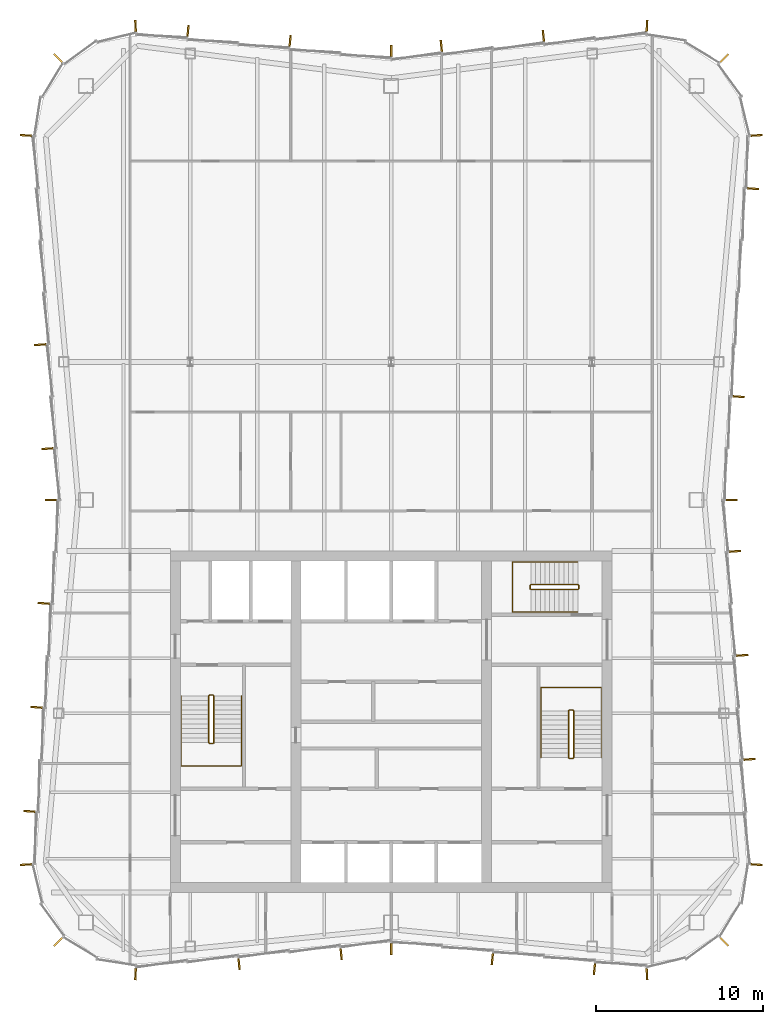
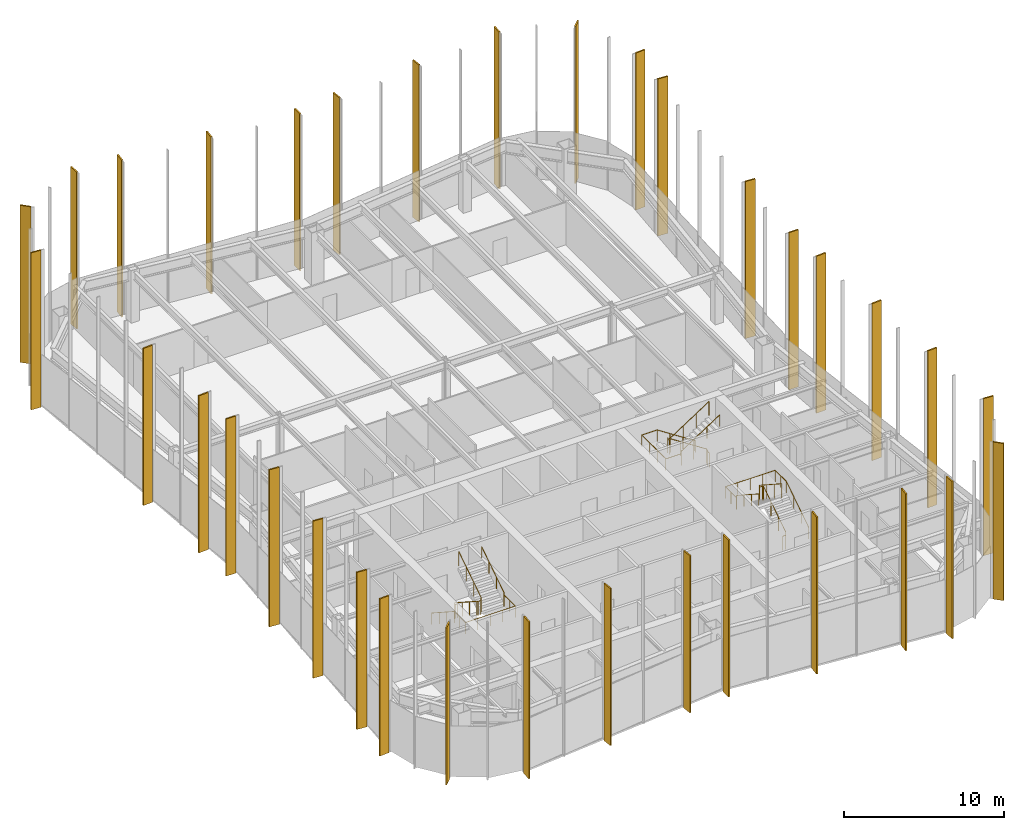
# One storey, part 13 of 13: 34 shading devices, 6 railings.
"""IFC4 building model written with IfcOpenShell, lengths in metres."""

from ifc_helpers import new_model, si_unit, direction, frame, origin, origin_2d, place, context, subcontext, project, spatial, rectangle, circle, extrude, material, layer, layer_set, type_object, element, save


model = new_model("IFC4")

# Units and contexts
model_context = context("Model", 3, precision=1e-05, world=origin(), true_north=direction((0.0, 1.0)))
body_context = subcontext(model_context, "Body", "Model", "MODEL_VIEW")
ifc_project = project(units=[si_unit("LENGTHUNIT", "METRE"), si_unit("AREAUNIT", "SQUARE_METRE"), si_unit("VOLUMEUNIT", "CUBIC_METRE"), si_unit("PLANEANGLEUNIT", "RADIAN"), si_unit("MASSUNIT", "GRAM", prefix="KILO")], contexts=[model_context])

# Site, building, storey
site_placement = place(None, origin())
site = spatial("IfcSite", under=ifc_project, at=site_placement, CompositionType="ELEMENT")
building_placement = place(site_placement, origin())
building = spatial("IfcBuilding", under=site, at=building_placement, Name="Verdant Reach Tower", CompositionType="ELEMENT")
storey_placement = place(building_placement, frame((0.0, 0.0, 306.0)))
storey = spatial("IfcBuildingStorey", under=building, at=storey_placement, Name="L70", CompositionType="ELEMENT", Elevation=306.0)

# Railings
ifc_material_1 = material(Name="Stainless steel", Category="steel")
railing_type_1 = type_object("IfcRailingType", Name="CO-GUARD", PredefinedType="GUARDRAIL", material=ifc_material_1)
railing_1_placement = place(storey_placement, frame((-10.64990234375, 29.60009765625, 0.0)))
element("IfcRailing", 1, at=railing_1_placement, inside=storey, type_object=railing_type_1, Name="L70 ST-1 stair guard 1", PredefinedType="GUARDRAIL", context=body_context, shape_type="SweptSolid", body=[
    extrude(circle(Radius=0.02392578125, at=origin_2d()), frame((0.0, 0.0, 1.076171875), z_axis=(-1.0, 0.0, 0.0), x_axis=(0.0, -1.0, 0.0)), (0.0, 0.0, 1.0), 0.2001953125),
    extrude(circle(Radius=0.02392578125, at=origin_2d()), frame((-0.2001953125, 0.0, 1.076171875), z_axis=(-0.25526617399, -0.256517478764, 0.932222056972), x_axis=(0.708833529934, -0.705375805398, 0.0)), (0.0, 0.0, 1.0), 0.195068359375),
    extrude(circle(Radius=0.02392578125, at=origin_2d()), frame((-0.25, -0.050048828125, 1.2578125), z_axis=(0.0, -0.838705829183, 0.544584733623), x_axis=(1.0, 0.0, 0.0)), (0.0, 0.0, 1.0), 3.338623046875),
    extrude(circle(Radius=0.02392578125, at=origin_2d()), frame((-0.25, -2.85009765625, 3.076171875), z_axis=(0.705375805398, -0.708833529934, 0.0), x_axis=(0.708833529934, 0.705375805398, 0.0)), (0.0, 0.0, 1.0), 0.070556640625),
    extrude(circle(Radius=0.02392578125, at=origin_2d()), frame((-0.2001953125, -2.900146484375, 3.076171875), z_axis=(1.0, 0.0, 0.0), x_axis=(0.0, 1.0, 0.0)), (0.0, 0.0, 1.0), 0.2001953125),
    extrude(circle(Radius=0.02392578125, at=origin_2d()), frame((0.0, -2.900146484375, 3.076171875), z_axis=(0.25526617399, 0.256517478764, 0.932222056972), x_axis=(-0.708833529934, 0.705375805398, 0.0)), (0.0, 0.0, 1.0), 0.195068359375),
    extrude(circle(Radius=0.02392578125, at=origin_2d()), frame((0.0498046875, -2.85009765625, 3.2578125), z_axis=(0.0, 0.838705829183, 0.544584733623), x_axis=(-1.0, 0.0, 0.0)), (0.0, 0.0, 1.0), 3.338623046875),
    extrude(circle(Radius=0.02099609375, at=origin_2d()), origin(), (0.0, 0.0, 1.0), 1.052001953125),
    extrude(circle(Radius=0.02099609375, at=origin_2d()), frame((-0.2001953125, 0.0, 0.0)), (0.0, 0.0, 1.0), 1.052001953125),
    extrude(circle(Radius=0.02099609375, at=origin_2d()), frame((-0.25, -0.050048828125, 0.181884765625)), (0.0, 0.0, 1.0), 1.052001953125),
    extrude(circle(Radius=0.02099609375, at=origin_2d()), frame((-0.25, -0.9833984375, 0.787841796875)), (0.0, 0.0, 1.0), 1.052001953125),
    extrude(circle(Radius=0.02099609375, at=origin_2d()), frame((-0.25, -1.916748046875, 1.39404296875)), (0.0, 0.0, 1.0), 1.052001953125),
    extrude(circle(Radius=0.02099609375, at=origin_2d()), frame((-0.25, -2.85009765625, 2.0)), (0.0, 0.0, 1.0), 1.052001953125),
    extrude(circle(Radius=0.02099609375, at=origin_2d()), frame((-0.2001953125, -2.900146484375, 2.0)), (0.0, 0.0, 1.0), 1.052001953125),
    extrude(circle(Radius=0.02099609375, at=origin_2d()), frame((0.0, -2.900146484375, 2.0)), (0.0, 0.0, 1.0), 1.052001953125),
    extrude(circle(Radius=0.02099609375, at=origin_2d()), frame((0.0498046875, -2.85009765625, 2.181884765625)), (0.0, 0.0, 1.0), 1.052001953125),
    extrude(circle(Radius=0.02099609375, at=origin_2d()), frame((0.0498046875, -1.916748046875, 2.787841796875)), (0.0, 0.0, 1.0), 1.052001953125),
    extrude(circle(Radius=0.02099609375, at=origin_2d()), frame((0.0498046875, -0.9833984375, 3.39404296875)), (0.0, 0.0, 1.0), 1.052001953125),
    extrude(circle(Radius=0.02099609375, at=origin_2d()), frame((0.0498046875, -0.050048828125, 4.0)), (0.0, 0.0, 1.0), 1.052001953125),
])
railing_2_placement = place(storey_placement, frame((10.64990234375, 25.800048828125, 0.0)))
element("IfcRailing", 2, at=railing_2_placement, inside=storey, type_object=railing_type_1, Name="L70 ST-2 stair guard 1", PredefinedType="GUARDRAIL", context=body_context, shape_type="SweptSolid", body=[
    extrude(circle(Radius=0.02392578125, at=origin_2d()), frame((0.0, 0.0, 1.076171875), z_axis=(1.0, 0.0, 0.0), x_axis=(0.0, 1.0, 0.0)), (0.0, 0.0, 1.0), 0.2001953125),
    extrude(circle(Radius=0.02392578125, at=origin_2d()), frame((0.2001953125, 0.0, 1.076171875), z_axis=(0.25526617399, 0.256517478764, 0.932222056972), x_axis=(-0.708833529934, 0.705375805398, 0.0)), (0.0, 0.0, 1.0), 0.195068359375),
    extrude(circle(Radius=0.02392578125, at=origin_2d()), frame((0.25, 0.050048828125, 1.2578125), z_axis=(0.0, 0.83868413941, 0.544618136222), x_axis=(-1.0, 0.0, 0.0)), (0.0, 0.0, 1.0), 3.33837890625),
    extrude(circle(Radius=0.02392578125, at=origin_2d()), frame((0.25, 2.849853515625, 3.076171875), z_axis=(-0.705375805398, 0.708833529934, 0.0), x_axis=(-0.708833529934, -0.705375805398, 0.0)), (0.0, 0.0, 1.0), 0.070556640625),
    extrude(circle(Radius=0.02392578125, at=origin_2d()), frame((0.2001953125, 2.89990234375, 3.076171875), z_axis=(-1.0, 0.0, 0.0), x_axis=(0.0, -1.0, 0.0)), (0.0, 0.0, 1.0), 0.2001953125),
    extrude(circle(Radius=0.02392578125, at=origin_2d()), frame((0.0, 2.89990234375, 3.076171875), z_axis=(-0.25526617399, -0.256517478764, 0.932222056972), x_axis=(0.708833529934, -0.705375805398, 0.0)), (0.0, 0.0, 1.0), 0.195068359375),
    extrude(circle(Radius=0.02392578125, at=origin_2d()), frame((-0.0498046875, 2.849853515625, 3.2578125), z_axis=(0.0, -0.83868413941, 0.544618136222), x_axis=(1.0, 0.0, 0.0)), (0.0, 0.0, 1.0), 3.33837890625),
    extrude(circle(Radius=0.02099609375, at=origin_2d()), origin(), (0.0, 0.0, 1.0), 1.052001953125),
    extrude(circle(Radius=0.02099609375, at=origin_2d()), frame((0.2001953125, 0.0, 0.0)), (0.0, 0.0, 1.0), 1.052001953125),
    extrude(circle(Radius=0.02099609375, at=origin_2d()), frame((0.25, 0.050048828125, 0.181884765625)), (0.0, 0.0, 1.0), 1.052001953125),
    extrude(circle(Radius=0.02099609375, at=origin_2d()), frame((0.25, 0.9833984375, 0.787841796875)), (0.0, 0.0, 1.0), 1.052001953125),
    extrude(circle(Radius=0.02099609375, at=origin_2d()), frame((0.25, 1.91650390625, 1.39404296875)), (0.0, 0.0, 1.0), 1.052001953125),
    extrude(circle(Radius=0.02099609375, at=origin_2d()), frame((0.25, 2.849853515625, 2.0)), (0.0, 0.0, 1.0), 1.052001953125),
    extrude(circle(Radius=0.02099609375, at=origin_2d()), frame((0.2001953125, 2.89990234375, 2.0)), (0.0, 0.0, 1.0), 1.052001953125),
    extrude(circle(Radius=0.02099609375, at=origin_2d()), frame((0.0, 2.89990234375, 2.0)), (0.0, 0.0, 1.0), 1.052001953125),
    extrude(circle(Radius=0.02099609375, at=origin_2d()), frame((-0.0498046875, 2.849853515625, 2.181884765625)), (0.0, 0.0, 1.0), 1.052001953125),
    extrude(circle(Radius=0.02099609375, at=origin_2d()), frame((-0.0498046875, 1.91650390625, 2.787841796875)), (0.0, 0.0, 1.0), 1.052001953125),
    extrude(circle(Radius=0.02099609375, at=origin_2d()), frame((-0.0498046875, 0.9833984375, 3.39404296875)), (0.0, 0.0, 1.0), 1.052001953125),
    extrude(circle(Radius=0.02099609375, at=origin_2d()), frame((-0.0498046875, 0.050048828125, 4.0)), (0.0, 0.0, 1.0), 1.052001953125),
])
railing_3_placement = place(storey_placement, frame((11.199951171875, 35.949951171875, 0.0)))
element("IfcRailing", 3, at=railing_3_placement, inside=storey, type_object=railing_type_1, Name="L70 ST-3 stair guard 1", PredefinedType="GUARDRAIL", context=body_context, shape_type="SweptSolid", body=[
    extrude(circle(Radius=0.02392578125, at=origin_2d()), frame((0.0, 0.0, 1.076171875), z_axis=(0.0, 1.0, 0.0), x_axis=(-1.0, 0.0, 0.0)), (0.0, 0.0, 1.0), 0.199951171875),
    extrude(circle(Radius=0.02392578125, at=origin_2d()), frame((0.0, 0.199951171875, 1.076171875), z_axis=(-0.256435381639, 0.256435381639, 0.931923704005), x_axis=(-0.707106781187, -0.707106781187, 0.0)), (0.0, 0.0, 1.0), 0.195068359375),
    extrude(circle(Radius=0.02392578125, at=origin_2d()), frame((-0.050048828125, 0.25, 1.2578125), z_axis=(-0.83868413941, 0.0, 0.544618136222), x_axis=(0.0, -1.0, 0.0)), (0.0, 0.0, 1.0), 3.33837890625),
    extrude(circle(Radius=0.02392578125, at=origin_2d()), frame((-2.849853515625, 0.25, 3.076171875), z_axis=(-0.707106781187, -0.707106781187, 0.0), x_axis=(0.707106781187, -0.707106781187, 0.0)), (0.0, 0.0, 1.0), 0.07080078125),
    extrude(circle(Radius=0.02392578125, at=origin_2d()), frame((-2.89990234375, 0.199951171875, 3.076171875), z_axis=(0.0, -1.0, 0.0), x_axis=(1.0, 0.0, 0.0)), (0.0, 0.0, 1.0), 0.199951171875),
    extrude(circle(Radius=0.02392578125, at=origin_2d()), frame((-2.89990234375, 0.0, 3.076171875), z_axis=(0.256435381639, -0.256435381639, 0.931923704005), x_axis=(0.707106781187, 0.707106781187, 0.0)), (0.0, 0.0, 1.0), 0.195068359375),
    extrude(circle(Radius=0.02392578125, at=origin_2d()), frame((-2.849853515625, -0.050048828125, 3.2578125), z_axis=(0.83868413941, 0.0, 0.544618136222), x_axis=(0.0, 1.0, 0.0)), (0.0, 0.0, 1.0), 3.33837890625),
    extrude(circle(Radius=0.02099609375, at=origin_2d()), origin(), (0.0, 0.0, 1.0), 1.052001953125),
    extrude(circle(Radius=0.02099609375, at=origin_2d()), frame((0.0, 0.199951171875, 0.0)), (0.0, 0.0, 1.0), 1.052001953125),
    extrude(circle(Radius=0.02099609375, at=origin_2d()), frame((-0.050048828125, 0.25, 0.181884765625)), (0.0, 0.0, 1.0), 1.052001953125),
    extrude(circle(Radius=0.02099609375, at=origin_2d()), frame((-0.9833984375, 0.25, 0.787841796875)), (0.0, 0.0, 1.0), 1.052001953125),
    extrude(circle(Radius=0.02099609375, at=origin_2d()), frame((-1.91650390625, 0.25, 1.39404296875)), (0.0, 0.0, 1.0), 1.052001953125),
    extrude(circle(Radius=0.02099609375, at=origin_2d()), frame((-2.849853515625, 0.25, 2.0)), (0.0, 0.0, 1.0), 1.052001953125),
    extrude(circle(Radius=0.02099609375, at=origin_2d()), frame((-2.89990234375, 0.199951171875, 2.0)), (0.0, 0.0, 1.0), 1.052001953125),
    extrude(circle(Radius=0.02099609375, at=origin_2d()), frame((-2.89990234375, 0.0, 2.0)), (0.0, 0.0, 1.0), 1.052001953125),
    extrude(circle(Radius=0.02099609375, at=origin_2d()), frame((-2.849853515625, -0.050048828125, 2.181884765625)), (0.0, 0.0, 1.0), 1.052001953125),
    extrude(circle(Radius=0.02099609375, at=origin_2d()), frame((-1.91650390625, -0.050048828125, 2.787841796875)), (0.0, 0.0, 1.0), 1.052001953125),
    extrude(circle(Radius=0.02099609375, at=origin_2d()), frame((-0.9833984375, -0.050048828125, 3.39404296875)), (0.0, 0.0, 1.0), 1.052001953125),
    extrude(circle(Radius=0.02099609375, at=origin_2d()), frame((-0.050048828125, -0.050048828125, 4.0)), (0.0, 0.0, 1.0), 1.052001953125),
])
railing_type_2 = type_object("IfcRailingType", Name="CO-HANDRAIL", PredefinedType="HANDRAIL", material=ifc_material_1)
railing_4_placement = place(storey_placement, frame((-12.550048828125, 29.550048828125, 0.181884765625)))
element("IfcRailing", 4, at=railing_4_placement, inside=storey, type_object=railing_type_2, Name="L70 ST-1 stair handrail 1", PredefinedType="HANDRAIL", context=body_context, shape_type="SweptSolid", body=[
    extrude(circle(Radius=0.02392578125, at=origin_2d()), frame((0.0, 0.0, 0.8759765625), z_axis=(0.0, -0.838705829183, 0.544584733623), x_axis=(1.0, 0.0, 0.0)), (0.0, 0.0, 1.0), 3.338623046875),
    extrude(circle(Radius=0.02392578125, at=origin_2d()), frame((0.0, -2.800048828125, 2.69384765625), z_axis=(0.0, -1.0, 0.0), x_axis=(1.0, 0.0, 0.0)), (0.0, 0.0, 1.0), 1.39990234375),
    extrude(circle(Radius=0.02392578125, at=origin_2d()), frame((0.0, -4.199951171875, 2.69384765625), z_axis=(1.0, 0.0, 0.0), x_axis=(0.0, 1.0, 0.0)), (0.0, 0.0, 1.0), 3.60009765625),
    extrude(circle(Radius=0.02392578125, at=origin_2d()), frame((3.60009765625, -4.199951171875, 2.69384765625), z_axis=(0.0, 1.0, 0.0), x_axis=(-1.0, 0.0, 0.0)), (0.0, 0.0, 1.0), 1.39990234375),
    extrude(circle(Radius=0.02392578125, at=origin_2d()), frame((3.60009765625, -2.800048828125, 2.69384765625), z_axis=(0.0, 0.0, 1.0), x_axis=(1.0, 0.0, 0.0)), (0.0, 0.0, 1.0), 0.181884765625),
    extrude(circle(Radius=0.02392578125, at=origin_2d()), frame((3.60009765625, -2.800048828125, 2.8759765625), z_axis=(0.0, 0.838705829183, 0.544584733623), x_axis=(-1.0, 0.0, 0.0)), (0.0, 0.0, 1.0), 3.338623046875),
    extrude(circle(Radius=0.02099609375, at=origin_2d()), origin(), (0.0, 0.0, 1.0), 0.851806640625),
    extrude(circle(Radius=0.02099609375, at=origin_2d()), frame((0.0, -0.933349609375, 0.60595703125)), (0.0, 0.0, 1.0), 0.851806640625),
    extrude(circle(Radius=0.02099609375, at=origin_2d()), frame((0.0, -1.86669921875, 1.212158203125)), (0.0, 0.0, 1.0), 0.851806640625),
    extrude(circle(Radius=0.02099609375, at=origin_2d()), frame((0.0, -2.800048828125, 1.818115234375)), (0.0, 0.0, 1.0), 0.851806640625),
    extrude(circle(Radius=0.02099609375, at=origin_2d()), frame((0.0, -3.5, 1.818115234375)), (0.0, 0.0, 1.0), 0.851806640625),
    extrude(circle(Radius=0.02099609375, at=origin_2d()), frame((0.0, -4.199951171875, 1.818115234375)), (0.0, 0.0, 1.0), 0.851806640625),
    extrude(circle(Radius=0.02099609375, at=origin_2d()), frame((0.89990234375, -4.199951171875, 1.818115234375)), (0.0, 0.0, 1.0), 0.851806640625),
    extrude(circle(Radius=0.02099609375, at=origin_2d()), frame((1.800048828125, -4.199951171875, 1.818115234375)), (0.0, 0.0, 1.0), 0.851806640625),
    extrude(circle(Radius=0.02099609375, at=origin_2d()), frame((2.7001953125, -4.199951171875, 1.818115234375)), (0.0, 0.0, 1.0), 0.851806640625),
    extrude(circle(Radius=0.02099609375, at=origin_2d()), frame((3.60009765625, -4.199951171875, 1.818115234375)), (0.0, 0.0, 1.0), 0.851806640625),
    extrude(circle(Radius=0.02099609375, at=origin_2d()), frame((3.60009765625, -3.5, 1.818115234375)), (0.0, 0.0, 1.0), 0.851806640625),
    extrude(circle(Radius=0.02099609375, at=origin_2d()), frame((3.60009765625, -2.800048828125, 1.818115234375)), (0.0, 0.0, 1.0), 0.851806640625),
    extrude(circle(Radius=0.02099609375, at=origin_2d()), frame((3.60009765625, -2.800048828125, 2.0)), (0.0, 0.0, 1.0), 0.851806640625),
    extrude(circle(Radius=0.02099609375, at=origin_2d()), frame((3.60009765625, -1.86669921875, 2.60595703125)), (0.0, 0.0, 1.0), 0.851806640625),
    extrude(circle(Radius=0.02099609375, at=origin_2d()), frame((3.60009765625, -0.933349609375, 3.212158203125)), (0.0, 0.0, 1.0), 0.851806640625),
    extrude(circle(Radius=0.02099609375, at=origin_2d()), frame((3.60009765625, 0.0, 3.818115234375)), (0.0, 0.0, 1.0), 0.851806640625),
])
railing_5_placement = place(storey_placement, frame((12.550048828125, 25.85009765625, 0.181884765625)))
element("IfcRailing", 5, at=railing_5_placement, inside=storey, type_object=railing_type_2, Name="L70 ST-2 stair handrail 1", PredefinedType="HANDRAIL", context=body_context, shape_type="SweptSolid", body=[
    extrude(circle(Radius=0.02392578125, at=origin_2d()), frame((0.0, 0.0, 0.8759765625), z_axis=(0.0, 0.83868413941, 0.544618136222), x_axis=(-1.0, 0.0, 0.0)), (0.0, 0.0, 1.0), 3.33837890625),
    extrude(circle(Radius=0.02392578125, at=origin_2d()), frame((0.0, 2.7998046875, 2.69384765625), z_axis=(0.0, 1.0, 0.0), x_axis=(-1.0, 0.0, 0.0)), (0.0, 0.0, 1.0), 1.400146484375),
    extrude(circle(Radius=0.02392578125, at=origin_2d()), frame((0.0, 4.199951171875, 2.69384765625), z_axis=(-1.0, 0.0, 0.0), x_axis=(0.0, -1.0, 0.0)), (0.0, 0.0, 1.0), 3.60009765625),
    extrude(circle(Radius=0.02392578125, at=origin_2d()), frame((-3.60009765625, 4.199951171875, 2.69384765625), z_axis=(0.0, -1.0, 0.0), x_axis=(1.0, 0.0, 0.0)), (0.0, 0.0, 1.0), 1.400146484375),
    extrude(circle(Radius=0.02392578125, at=origin_2d()), frame((-3.60009765625, 2.7998046875, 2.69384765625), z_axis=(0.0, 0.0, 1.0), x_axis=(1.0, 0.0, 0.0)), (0.0, 0.0, 1.0), 0.181884765625),
    extrude(circle(Radius=0.02392578125, at=origin_2d()), frame((-3.60009765625, 2.7998046875, 2.8759765625), z_axis=(0.0, -0.83868413941, 0.544618136222), x_axis=(1.0, 0.0, 0.0)), (0.0, 0.0, 1.0), 3.33837890625),
    extrude(circle(Radius=0.02099609375, at=origin_2d()), origin(), (0.0, 0.0, 1.0), 0.851806640625),
    extrude(circle(Radius=0.02099609375, at=origin_2d()), frame((0.0, 0.933349609375, 0.60595703125)), (0.0, 0.0, 1.0), 0.851806640625),
    extrude(circle(Radius=0.02099609375, at=origin_2d()), frame((0.0, 1.866455078125, 1.212158203125)), (0.0, 0.0, 1.0), 0.851806640625),
    extrude(circle(Radius=0.02099609375, at=origin_2d()), frame((0.0, 2.7998046875, 1.818115234375)), (0.0, 0.0, 1.0), 0.851806640625),
    extrude(circle(Radius=0.02099609375, at=origin_2d()), frame((0.0, 3.5, 1.818115234375)), (0.0, 0.0, 1.0), 0.851806640625),
    extrude(circle(Radius=0.02099609375, at=origin_2d()), frame((0.0, 4.199951171875, 1.818115234375)), (0.0, 0.0, 1.0), 0.851806640625),
    extrude(circle(Radius=0.02099609375, at=origin_2d()), frame((-0.89990234375, 4.199951171875, 1.818115234375)), (0.0, 0.0, 1.0), 0.851806640625),
    extrude(circle(Radius=0.02099609375, at=origin_2d()), frame((-1.800048828125, 4.199951171875, 1.818115234375)), (0.0, 0.0, 1.0), 0.851806640625),
    extrude(circle(Radius=0.02099609375, at=origin_2d()), frame((-2.7001953125, 4.199951171875, 1.818115234375)), (0.0, 0.0, 1.0), 0.851806640625),
    extrude(circle(Radius=0.02099609375, at=origin_2d()), frame((-3.60009765625, 4.199951171875, 1.818115234375)), (0.0, 0.0, 1.0), 0.851806640625),
    extrude(circle(Radius=0.02099609375, at=origin_2d()), frame((-3.60009765625, 3.5, 1.818115234375)), (0.0, 0.0, 1.0), 0.851806640625),
    extrude(circle(Radius=0.02099609375, at=origin_2d()), frame((-3.60009765625, 2.7998046875, 1.818115234375)), (0.0, 0.0, 1.0), 0.851806640625),
    extrude(circle(Radius=0.02099609375, at=origin_2d()), frame((-3.60009765625, 2.7998046875, 2.0)), (0.0, 0.0, 1.0), 0.851806640625),
    extrude(circle(Radius=0.02099609375, at=origin_2d()), frame((-3.60009765625, 1.866455078125, 2.60595703125)), (0.0, 0.0, 1.0), 0.851806640625),
    extrude(circle(Radius=0.02099609375, at=origin_2d()), frame((-3.60009765625, 0.933349609375, 3.212158203125)), (0.0, 0.0, 1.0), 0.851806640625),
    extrude(circle(Radius=0.02099609375, at=origin_2d()), frame((-3.60009765625, 0.0, 3.818115234375)), (0.0, 0.0, 1.0), 0.851806640625),
])
railing_6_placement = place(storey_placement, frame((11.14990234375, 37.550048828125, 0.181884765625)))
element("IfcRailing", 6, at=railing_6_placement, inside=storey, type_object=railing_type_2, Name="L70 ST-3 stair handrail 1", PredefinedType="HANDRAIL", context=body_context, shape_type="SweptSolid", body=[
    extrude(circle(Radius=0.02392578125, at=origin_2d()), frame((0.0, 0.0, 0.8759765625), z_axis=(-0.83868413941, 0.0, 0.544618136222), x_axis=(0.0, -1.0, 0.0)), (0.0, 0.0, 1.0), 3.33837890625),
    extrude(circle(Radius=0.02392578125, at=origin_2d()), frame((-2.7998046875, 0.0, 2.69384765625), z_axis=(-1.0, 0.0, 0.0), x_axis=(0.0, -1.0, 0.0)), (0.0, 0.0, 1.0), 1.10009765625),
    extrude(circle(Radius=0.02392578125, at=origin_2d()), frame((-3.89990234375, 0.0, 2.69384765625), z_axis=(0.0, -1.0, 0.0), x_axis=(1.0, 0.0, 0.0)), (0.0, 0.0, 1.0), 3.0),
    extrude(circle(Radius=0.02392578125, at=origin_2d()), frame((-3.89990234375, -3.0, 2.69384765625), z_axis=(1.0, 0.0, 0.0), x_axis=(0.0, 1.0, 0.0)), (0.0, 0.0, 1.0), 1.10009765625),
    extrude(circle(Radius=0.02392578125, at=origin_2d()), frame((-2.7998046875, -3.0, 2.69384765625), z_axis=(0.0, 0.0, 1.0), x_axis=(1.0, 0.0, 0.0)), (0.0, 0.0, 1.0), 0.181884765625),
    extrude(circle(Radius=0.02392578125, at=origin_2d()), frame((-2.7998046875, -3.0, 2.8759765625), z_axis=(0.83868413941, 0.0, 0.544618136222), x_axis=(0.0, 1.0, 0.0)), (0.0, 0.0, 1.0), 3.33837890625),
    extrude(circle(Radius=0.02099609375, at=origin_2d()), origin(), (0.0, 0.0, 1.0), 0.851806640625),
    extrude(circle(Radius=0.02099609375, at=origin_2d()), frame((-0.933349609375, 0.0, 0.60595703125)), (0.0, 0.0, 1.0), 0.851806640625),
    extrude(circle(Radius=0.02099609375, at=origin_2d()), frame((-1.866455078125, 0.0, 1.212158203125)), (0.0, 0.0, 1.0), 0.851806640625),
    extrude(circle(Radius=0.02099609375, at=origin_2d()), frame((-2.7998046875, 0.0, 1.818115234375)), (0.0, 0.0, 1.0), 0.851806640625),
    extrude(circle(Radius=0.02099609375, at=origin_2d()), frame((-3.89990234375, 0.0, 1.818115234375)), (0.0, 0.0, 1.0), 0.851806640625),
    extrude(circle(Radius=0.02099609375, at=origin_2d()), frame((-3.89990234375, -1.0, 1.818115234375)), (0.0, 0.0, 1.0), 0.851806640625),
    extrude(circle(Radius=0.02099609375, at=origin_2d()), frame((-3.89990234375, -2.0, 1.818115234375)), (0.0, 0.0, 1.0), 0.851806640625),
    extrude(circle(Radius=0.02099609375, at=origin_2d()), frame((-3.89990234375, -3.0, 1.818115234375)), (0.0, 0.0, 1.0), 0.851806640625),
    extrude(circle(Radius=0.02099609375, at=origin_2d()), frame((-2.7998046875, -3.0, 1.818115234375)), (0.0, 0.0, 1.0), 0.851806640625),
    extrude(circle(Radius=0.02099609375, at=origin_2d()), frame((-2.7998046875, -3.0, 2.0)), (0.0, 0.0, 1.0), 0.851806640625),
    extrude(circle(Radius=0.02099609375, at=origin_2d()), frame((-1.866455078125, -3.0, 2.60595703125)), (0.0, 0.0, 1.0), 0.851806640625),
    extrude(circle(Radius=0.02099609375, at=origin_2d()), frame((-0.933349609375, -3.0, 3.212158203125)), (0.0, 0.0, 1.0), 0.851806640625),
    extrude(circle(Radius=0.02099609375, at=origin_2d()), frame((0.0, -3.0, 3.818115234375)), (0.0, 0.0, 1.0), 0.851806640625),
])

# Shading devices
ifc_material_2 = material(Name="Bronze fin, champagne", Category="aluminium")
ifc_layer_1 = layer(ifc_material_2, 0.10009765625)
ifc_layer_set_1 = layer_set([ifc_layer_1], Name="EN-FIN CHAMPAGNE")
shading_device_type_1 = type_object("IfcShadingDeviceType", Name="EN-FIN CHAMPAGNE", PredefinedType="USERDEFINED", material=ifc_layer_set_1)
for number, where, z_axis, x_axis, name in (
    (7, (15.278564453125, 12.920654296875, -0.35009765625), (0.0, 0.0, 1.0), (0.998792510626, 0.049127596288, 0.0), "Fin south-east corner 1, L70"),
    (8, (19.90283203125, 14.84716796875, -0.35009765625), (0.0, 0.0, 1.0), (0.707106781187, 0.707106781187, 0.0), "Fin south-east corner 3, L70"),
    (9, (21.828857421875, 19.463134765625, -0.35009765625), (0.0, 0.0, 1.0), (0.063698618332, 0.997969180898, 0.0), "Fin east face part 1 1, L70"),
    (10, (20.54296875, 38.182861328125, -0.35009765625), (0.0, 0.0, 1.0), (-0.068802091615, 0.997630328423, 0.0), "Fin east face part 1 7, L70"),
    (11, (20.330078125, 41.25, -0.35009765625), (0.0, 0.0, 1.0), (0.0, 1.0, 0.0), "Fin east face part 2 1, L70"),
    (12, (20.757080078125, 47.42431640625, -0.35009765625), (0.0, 0.0, 1.0), (0.068802091615, 0.997630328423, 0.0), "Fin east face part 2 3, L70"),
    (13, (21.828857421875, 63.036865234375, -0.35009765625), (0.0, 0.0, 1.0), (-0.063698618332, 0.997969180898, 0.0), "Fin north-east corner 1, L70"),
    (14, (2.9931640625, 68.377197265625, -0.35009765625), (0.0, 0.0, 1.0), (-0.995197410875, -0.09788826992, 0.0), "Fin north face part 1 5, L70"),
    (15, (0.0, 68.080078125, -0.35009765625), (0.0, 0.0, 1.0), (-1.0, 0.0, 0.0), "Fin north face part 2 1, L70"),
    (16, (-20.971435546875, 50.531494140625, -0.35009765625), (0.0, 0.0, 1.0), (0.068802091615, -0.997630328423, 0.0), "Fin west face part 1 5, L70"),
    (17, (-21.185791015625, 28.861328125, -0.35009765625), (0.0, 0.0, 1.0), (-0.068802091615, -0.997630328423, 0.0), "Fin west face part 2 5, L70"),
    (18, (-21.6142578125, 22.64697265625, -0.35009765625), (0.0, 0.0, 1.0), (-0.068802091615, -0.997630328423, 0.0), "Fin west face part 2 7, L70"),
    (19, (-15.278564453125, 12.920654296875, -0.35009765625), (0.0, 0.0, 1.0), (0.998792510626, -0.049127596288, 0.0), "Fin south face part 1 1, L70"),
    (20, (-9.09326171875, 13.522705078125, -0.35009765625), (0.0, 0.0, 1.0), (0.995197410875, 0.09788826992, 0.0), "Fin south face part 1 3, L70"),
    (21, (6.043212890625, 13.82275390625, -0.35009765625), (0.0, 0.0, 1.0), (0.995197410875, -0.09788826992, 0.0), "Fin south face part 2 3, L70"),
):
    element("IfcShadingDevice", number, at=place(storey_placement, frame(where, z_axis=z_axis, x_axis=x_axis)), inside=storey, type_object=shading_device_type_1, Name=name, ObjectType="FIN", PredefinedType="USERDEFINED", context=body_context, shape_type="SweptSolid", body=[
        extrude(rectangle(XDim=0.10009765625, YDim=0.699951171875, at=origin_2d()), origin(), (0.0, 0.0, 1.0), 12.0),
    ])
ifc_material_3 = material(Name="Bronze fin, copper", Category="aluminium")
ifc_layer_2 = layer(ifc_material_3, 0.10009765625)
ifc_layer_set_2 = layer_set([ifc_layer_2], Name="EN-FIN COPPER")
shading_device_type_2 = type_object("IfcShadingDeviceType", Name="EN-FIN COPPER", PredefinedType="USERDEFINED", material=ifc_layer_set_2)
for number, where, z_axis, x_axis, name in (
    (22, (21.400146484375, 25.754150390625, -0.35009765625), (0.0, 0.0, 1.0), (-0.068802091615, 0.997630328423, 0.0), "Fin east face part 1 3, L70"),
    (23, (19.90283203125, 67.65283203125, -0.35009765625), (0.0, 0.0, 1.0), (-0.707106781187, 0.707106781187, 0.0), "Fin north-east corner 3, L70"),
    (24, (15.278564453125, 69.579345703125, -0.35009765625), (0.0, 0.0, 1.0), (-0.998792510626, 0.049127596288, 0.0), "Fin north face part 1 1, L70"),
    (25, (-6.043212890625, 68.67724609375, -0.35009765625), (0.0, 0.0, 1.0), (-0.995197410875, 0.09788826992, 0.0), "Fin north face part 2 3, L70"),
    (26, (-15.278564453125, 69.579345703125, -0.35009765625), (0.0, 0.0, 1.0), (-0.998792510626, -0.049127596288, 0.0), "Fin north-west corner 1, L70"),
    (27, (-20.54296875, 44.317138671875, -0.35009765625), (0.0, 0.0, 1.0), (0.068802091615, -0.997630328423, 0.0), "Fin west face part 1 7, L70"),
    (28, (-20.330078125, 41.25, -0.35009765625), (0.0, 0.0, 1.0), (0.0, -1.0, 0.0), "Fin west face part 2 1, L70"),
    (29, (-2.9931640625, 14.122802734375, -0.35009765625), (0.0, 0.0, 1.0), (0.995197410875, 0.09788826992, 0.0), "Fin south face part 1 5, L70"),
    (30, (12.143310546875, 13.222900390625, -0.35009765625), (0.0, 0.0, 1.0), (0.995197410875, -0.09788826992, 0.0), "Fin south face part 2 5, L70"),
):
    element("IfcShadingDevice", number, at=place(storey_placement, frame(where, z_axis=z_axis, x_axis=x_axis)), inside=storey, type_object=shading_device_type_2, Name=name, ObjectType="FIN", PredefinedType="USERDEFINED", context=body_context, shape_type="SweptSolid", body=[
        extrude(rectangle(XDim=0.10009765625, YDim=0.699951171875, at=origin_2d()), origin(), (0.0, 0.0, 1.0), 12.0),
    ])
ifc_material_4 = material(Name="Bronze fin, dark bronze", Category="aluminium")
ifc_layer_3 = layer(ifc_material_4, 0.10009765625)
ifc_layer_set_3 = layer_set([ifc_layer_3], Name="EN-FIN DARK")
shading_device_type_3 = type_object("IfcShadingDeviceType", Name="EN-FIN DARK", PredefinedType="USERDEFINED", material=ifc_layer_set_3)
for number, where, z_axis, x_axis, name in (
    (31, (20.971435546875, 31.968505859375, -0.35009765625), (0.0, 0.0, 1.0), (-0.068802091615, 0.997630328423, 0.0), "Fin east face part 1 5, L70"),
    (32, (21.6142578125, 59.85302734375, -0.35009765625), (0.0, 0.0, 1.0), (0.068802091615, 0.997630328423, 0.0), "Fin east face part 2 7, L70"),
    (33, (9.09326171875, 68.977294921875, -0.35009765625), (0.0, 0.0, 1.0), (-0.995197410875, -0.09788826992, 0.0), "Fin north face part 1 3, L70"),
    (34, (-12.143310546875, 69.277099609375, -0.35009765625), (0.0, 0.0, 1.0), (-0.995197410875, 0.09788826992, 0.0), "Fin north face part 2 5, L70"),
    (35, (-19.90283203125, 67.65283203125, -0.35009765625), (0.0, 0.0, 1.0), (-0.707106781187, -0.707106781187, 0.0), "Fin north-west corner 3, L70"),
    (36, (-21.828857421875, 63.036865234375, -0.35009765625), (0.0, 0.0, 1.0), (-0.063698618332, -0.997969180898, 0.0), "Fin west face part 1 1, L70"),
    (37, (-20.757080078125, 35.07568359375, -0.35009765625), (0.0, 0.0, 1.0), (-0.068802091615, -0.997630328423, 0.0), "Fin west face part 2 3, L70"),
    (38, (-21.828857421875, 19.463134765625, -0.35009765625), (0.0, 0.0, 1.0), (0.063698618332, -0.997969180898, 0.0), "Fin south-west corner 1, L70"),
    (39, (-19.90283203125, 14.84716796875, -0.35009765625), (0.0, 0.0, 1.0), (0.707106781187, -0.707106781187, 0.0), "Fin south-west corner 3, L70"),
    (40, (0.0, 14.419921875, -0.35009765625), (0.0, 0.0, 1.0), (1.0, 0.0, 0.0), "Fin south face part 2 1, L70"),
):
    element("IfcShadingDevice", number, at=place(storey_placement, frame(where, z_axis=z_axis, x_axis=x_axis)), inside=storey, type_object=shading_device_type_3, Name=name, ObjectType="FIN", PredefinedType="USERDEFINED", context=body_context, shape_type="SweptSolid", body=[
        extrude(rectangle(XDim=0.10009765625, YDim=0.699951171875, at=origin_2d()), origin(), (0.0, 0.0, 1.0), 12.0),
    ])

save(model, "model.ifc")
